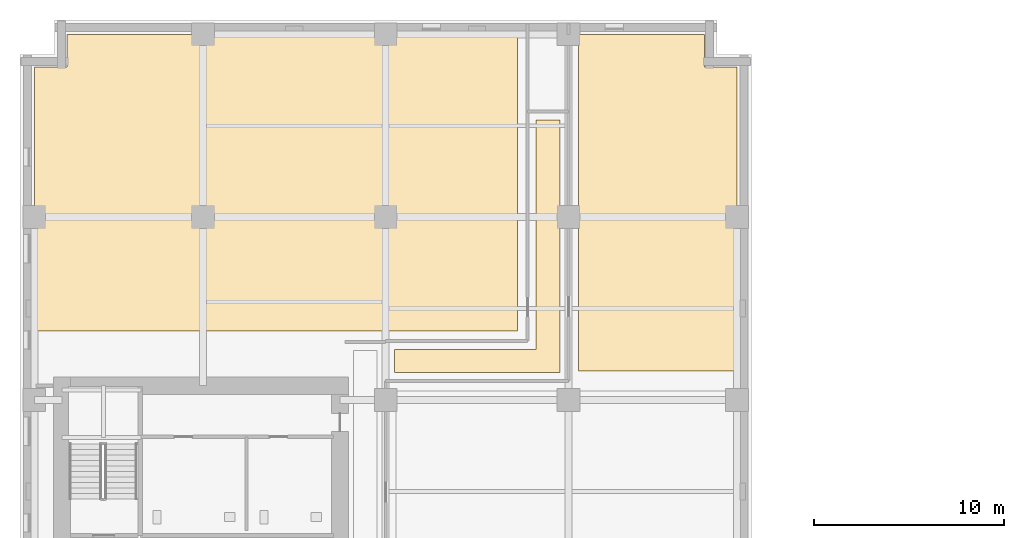
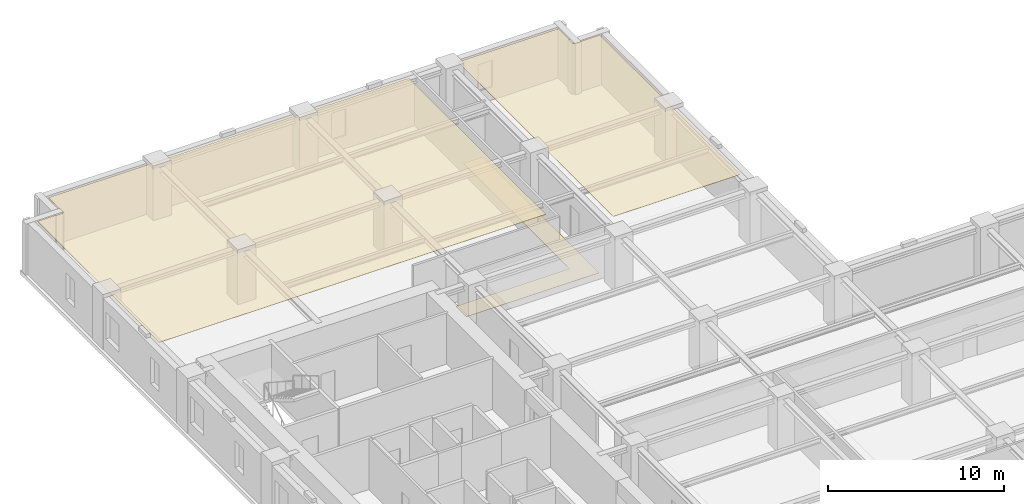
# One storey, part 12 of 13: 3 coverings.
"""IFC4 building model written with IfcOpenShell, lengths in metres."""

from ifc_helpers import new_model, si_unit, direction, frame, origin, place, context, subcontext, project, spatial, polyline, outline, extrude, material, layer, layer_set, type_object, element, save


model = new_model("IFC4")

# Units and contexts
model_context = context("Model", 3, precision=1e-05, world=origin(), true_north=direction((0.0, 1.0)))
body_context = subcontext(model_context, "Body", "Model", "MODEL_VIEW")
ifc_project = project(units=[si_unit("LENGTHUNIT", "METRE"), si_unit("AREAUNIT", "SQUARE_METRE"), si_unit("VOLUMEUNIT", "CUBIC_METRE"), si_unit("PLANEANGLEUNIT", "RADIAN"), si_unit("MASSUNIT", "GRAM", prefix="KILO")], contexts=[model_context])

# Site, building, storey
site_placement = place(None, origin())
site = spatial("IfcSite", under=ifc_project, at=site_placement, CompositionType="ELEMENT")
building_placement = place(site_placement, origin())
building = spatial("IfcBuilding", under=site, at=building_placement, Name="Norrvale University Quadrangle", CompositionType="ELEMENT")
storey_placement = place(building_placement, frame((0.0, 0.0, 47.0)))
storey = spatial("IfcBuildingStorey", under=building, at=storey_placement, Name="L11", CompositionType="ELEMENT", Elevation=47.0)

# Coverings
ifc_material_1 = material(Name="Perforated Acoustic Mineral Ceiling")
ifc_layer_1 = layer(ifc_material_1, 0.02490234375, Name="Perforated Acoustic Mineral Ceiling")
ifc_layer_set_1 = layer_set([ifc_layer_1], Name="Perforated Acoustic Mineral Ceiling")
covering_type_1 = type_object("IfcCoveringType", Name="Covering Acoustic Ceiling 25", PredefinedType="CEILING", material=ifc_layer_set_1)
covering_1_placement = place(storey_placement, frame((0.0, 0.0, 3.514892578125)))
element("IfcCovering", 1, at=covering_1_placement, inside=storey, type_object=covering_type_1, Name="Acoustic Ceiling RM-L11-NE01", PredefinedType="CEILING", context=body_context, shape_type="SweptSolid", body=[
    extrude(outline(polyline([(37.64990234375, 48.780029296875), (29.330078125, 48.780029296875), (29.330078125, 66.449951171875), (35.929931640625, 66.449951171875), (35.929931640625, 64.72998046875), (37.64990234375, 64.72998046875), (37.64990234375, 48.780029296875)])), origin(), (0.0, 0.0, 1.0), 0.025146484375),
])
covering_2_placement = place(storey_placement, frame((0.0, 0.0, 3.514892578125)))
element("IfcCovering", 2, at=covering_2_placement, inside=storey, type_object=covering_type_1, Name="Acoustic Ceiling RM-L11-NW01", PredefinedType="CEILING", context=body_context, shape_type="SweptSolid", body=[
    extrude(outline(polyline([(26.1201171875, 66.449951171875), (26.1201171875, 50.8798828125), (0.75, 50.8798828125), (0.75, 64.72998046875), (2.469970703125, 64.72998046875), (2.469970703125, 66.449951171875), (26.1201171875, 66.449951171875)])), origin(), (0.0, 0.0, 1.0), 0.025146484375),
])
ifc_material_2 = material(Name="Polished Terrazzo Flooring")
ifc_layer_2 = layer(ifc_material_2, 0.02490234375, Name="Polished Terrazzo Flooring")
ifc_layer_set_2 = layer_set([ifc_layer_2], Name="Polished Terrazzo Flooring")
covering_type_2 = type_object("IfcCoveringType", Name="Covering Terrazzo Floor 30", PredefinedType="FLOORING", material=ifc_layer_set_2)
covering_3_placement = place(storey_placement, origin())
element("IfcCovering", 3, at=covering_3_placement, inside=storey, type_object=covering_type_2, Name="Terrazzo Flooring RM-L11-NCJOG", PredefinedType="FLOORING", context=body_context, shape_type="SweptSolid", body=[
    extrude(outline(polyline([(19.64990234375, 48.699951171875), (19.64990234375, 49.89990234375), (27.10009765625, 49.89990234375), (27.10009765625, 61.949951171875), (28.35009765625, 61.949951171875), (28.35009765625, 48.699951171875), (19.64990234375, 48.699951171875)])), origin(), (0.0, 0.0, 1.0), 0.02490234375),
])

save(model, "model.ifc")
